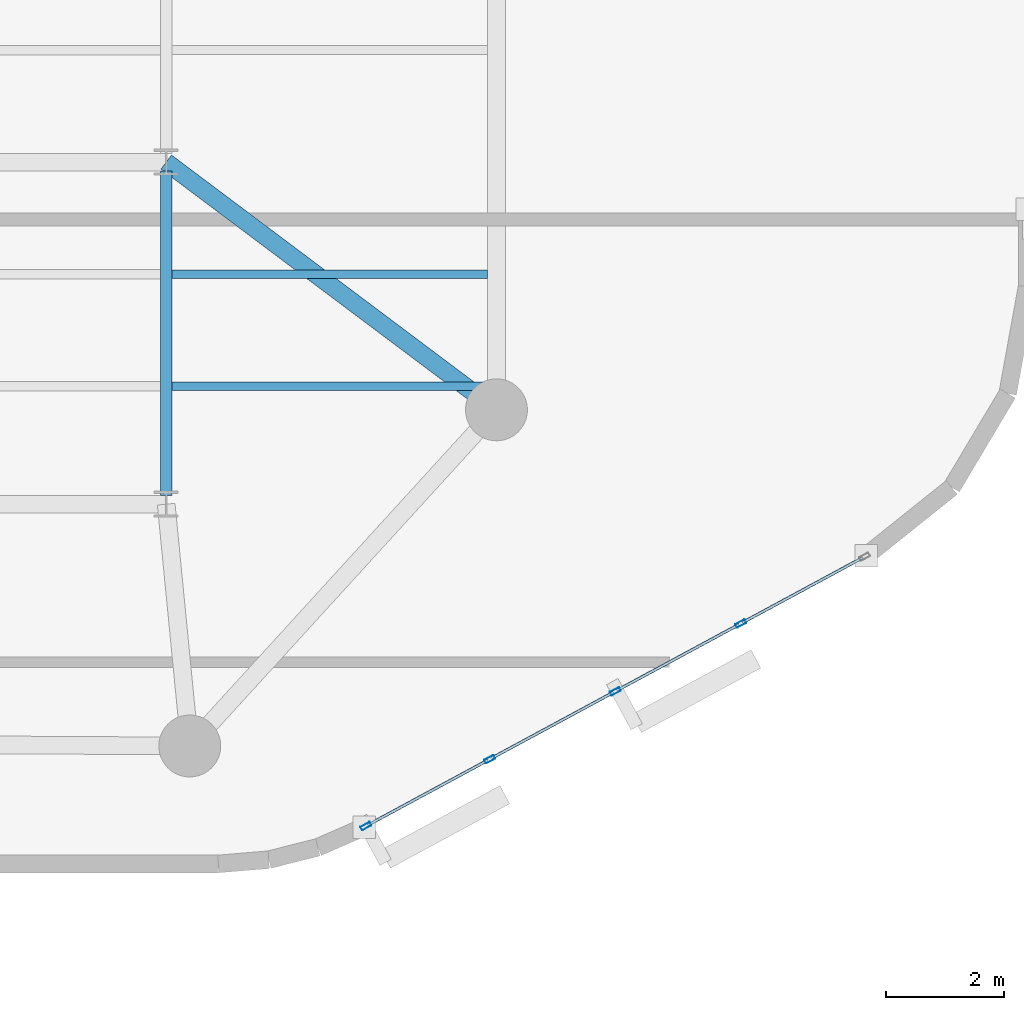
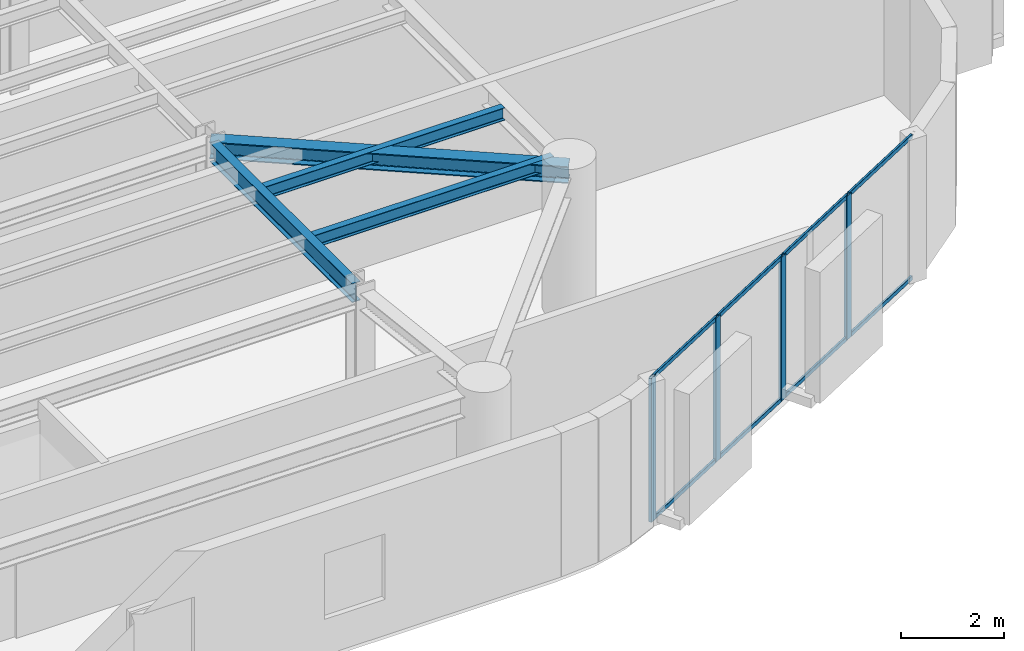
# One storey, part 2 of 14: 12 members, 4 beams, 1 element without a shape of its own.
"""IFC4 building model written with IfcOpenShell, lengths in metres."""

from ifc_helpers import new_model, si_unit, direction, frame, origin, origin_2d, place, context, subcontext, project, spatial, hollow_rectangle, i_section, extrude, material, layer, layer_set, material_profile, profile_set, type_object, element, aggregate, save


model = new_model("IFC4")

# Units and contexts
model_context = context("Model", 3, precision=1e-05, world=origin(), true_north=direction((0.0, 1.0)))
body_context = subcontext(model_context, "Body", "Model", "MODEL_VIEW")
ifc_project = project(units=[si_unit("LENGTHUNIT", "METRE"), si_unit("AREAUNIT", "SQUARE_METRE"), si_unit("VOLUMEUNIT", "CUBIC_METRE"), si_unit("PLANEANGLEUNIT", "RADIAN"), si_unit("MASSUNIT", "GRAM", prefix="KILO")], contexts=[model_context])

# Site, building, storey
site_placement = place(None, origin())
site = spatial("IfcSite", under=ifc_project, at=site_placement, CompositionType="ELEMENT")
building_placement = place(site_placement, origin())
building = spatial("IfcBuilding", under=site, at=building_placement, Name="An Khanh Terracotta Commons", CompositionType="ELEMENT")
storey_placement = place(building_placement, frame((0.0, 0.0, 219.300048828125)))
storey = spatial("IfcBuildingStorey", under=building, at=storey_placement, Name="L57", CompositionType="ELEMENT", Elevation=219.300048828125)

# Beams
ifc_material_1 = material(Name="Steel S355J2", Category="steel")
ifc_material_profile_1 = material_profile(ifc_material_1, i_section(OverallWidth=0.300048828125, OverallDepth=0.39990234375, WebThickness=0.013427734375, FlangeThickness=0.02392578125, FilletRadius=0.027099609375, at=origin_2d()), Name="HEB400")
ifc_profile_set_1 = profile_set([ifc_material_profile_1], Name="Steel S355J2")
beam_type_1 = type_object("IfcBeamType", Name="BM-HEB400", PredefinedType="BEAM", material=ifc_profile_set_1)
beam_1_placement = place(storey_placement, frame((59.60009765625, 16.0, 3.199951171875), z_axis=(-0.800008370399, 0.599988839305, 0.0), x_axis=(-0.599988839305, -0.800008370399, 0.0)))
element("IfcBeam", 1, at=beam_1_placement, inside=storey, type_object=beam_type_1, Name="L57 Mega-Column Tie Girder 3", PredefinedType="BEAM", context=body_context, shape_type="SweptSolid", body=[
    extrude(i_section(OverallWidth=0.300048828125, OverallDepth=0.39990234375, WebThickness=0.013427734375, FlangeThickness=0.02392578125, FilletRadius=0.027099609375, at=origin_2d()), origin(), (0.0, 0.0, 1.0), 7.0),
])
ifc_material_profile_2 = material_profile(ifc_material_1, i_section(OverallWidth=0.14990234375, OverallDepth=0.300048828125, WebThickness=0.007080078125, FlangeThickness=0.0107421875, FilletRadius=0.014892578125, at=origin_2d()), Name="IPE300")
ifc_profile_set_2 = profile_set([ifc_material_profile_2], Name="Steel S355J2")
beam_type_2 = type_object("IfcBeamType", Name="BM-IPE300", PredefinedType="JOIST", material=ifc_profile_set_2)
for number, where, z_axis, x_axis, name in (
    (2, (54.094970703125, 16.39990234375, 3.25), (1.0, 0.0, 0.0), (0.0, 1.0, 0.0), "L57 Riverfront Composite Joist 1"),
    (3, (54.094970703125, 18.300048828125, 3.25), (1.0, 0.0, 0.0), (0.0, 1.0, 0.0), "L57 Riverfront Composite Joist 2"),
):
    element("IfcBeam", number, at=place(storey_placement, frame(where, z_axis=z_axis, x_axis=x_axis)), inside=storey, type_object=beam_type_2, Name=name, PredefinedType="JOIST", context=body_context, shape_type="SweptSolid", body=[
        extrude(i_section(OverallWidth=0.14990234375, OverallDepth=0.300048828125, WebThickness=0.007080078125, FlangeThickness=0.0107421875, FilletRadius=0.014892578125, at=origin_2d()), origin(), (0.0, 0.0, 1.0), 5.35498046875),
    ])
ifc_material_profile_3 = material_profile(ifc_material_1, i_section(OverallWidth=0.18994140625, OverallDepth=0.449951171875, WebThickness=0.009521484375, FlangeThickness=0.0146484375, FilletRadius=0.02099609375, at=origin_2d()), Name="IPE450")
ifc_profile_set_3 = profile_set([ifc_material_profile_3], Name="Steel S355J2")
beam_type_3 = type_object("IfcBeamType", Name="BM-IPE450", PredefinedType="JOIST", material=ifc_profile_set_3)
beam_2_placement = place(storey_placement, frame((54.0, 14.550048828125, 3.175048828125), z_axis=(0.0, 1.0, 0.0), x_axis=(-1.0, 0.0, 0.0)))
element("IfcBeam", 4, at=beam_2_placement, inside=storey, type_object=beam_type_3, Name="L57 East Spine Girder 1", PredefinedType="JOIST", context=body_context, shape_type="SweptSolid", body=[
    extrude(i_section(OverallWidth=0.18994140625, OverallDepth=0.449951171875, WebThickness=0.009521484375, FlangeThickness=0.0146484375, FilletRadius=0.02099609375, at=origin_2d()), origin(), (0.0, 0.0, 1.0), 5.5),
])

# Curtain wall, members
ifc_material_2 = material(Name="Anodised Aluminium 6063-T6", Category="aluminium")
ifc_layer = layer(ifc_material_2, 0.2099609375, Name="Anodised Aluminium 6063-T6")
ifc_layer_set = layer_set([ifc_layer], Name="Anodised Aluminium 6063-T6")
curtain_wall_type = type_object("IfcCurtainWallType", Name="CW-SYS-03", PredefinedType="USERDEFINED", material=ifc_layer_set)
curtain_wall_placement = place(storey_placement, origin())
curtain_wall = element("IfcCurtainWall", 5, at=curtain_wall_placement, inside=storey, type_object=curtain_wall_type, Name="L57 CW-03 Unitised Curtain Wall CW-L57-08", ObjectType="UNITISED CURTAIN WALL", PredefinedType="USERDEFINED")
ifc_material_profile_4 = material_profile(ifc_material_2, hollow_rectangle(XDim=0.070068359375, YDim=0.179931640625, WallThickness=0.00390625, InnerFilletRadius=0.00390625, OuterFilletRadius=0.008056640625, at=origin_2d()), Name="RHS180x70x4")
ifc_profile_set_4 = profile_set([ifc_material_profile_4], Name="Anodised Aluminium 6063-T6")
member_type_1 = type_object("IfcMemberType", Name="CWM-RHS180x70x4", PredefinedType="MULLION", material=ifc_profile_set_4)
member_1_placement = place(storey_placement, frame((57.3876953125, 8.941650390625, 0.0), z_axis=(0.0, 0.0, 1.0), x_axis=(-0.47538088298, 0.879780095306, 0.0)))
member_1 = element("IfcMember", 6, at=member_1_placement, type_object=member_type_1, Name="CW-03 mullion 1", PredefinedType="MULLION", context=body_context, shape_type="SweptSolid", body=[
    extrude(hollow_rectangle(XDim=0.070068359375, YDim=0.179931640625, WallThickness=0.00390625, InnerFilletRadius=0.00390625, OuterFilletRadius=0.008056640625, at=origin_2d()), origin(), (0.0, 0.0, 1.0), 3.39990234375),
])
member_2_placement = place(storey_placement, frame((59.48583984375, 10.0751953125, 0.0), z_axis=(0.0, 0.0, 1.0), x_axis=(-0.47538088298, 0.879780095306, 0.0)))
member_2 = element("IfcMember", 7, at=member_2_placement, type_object=member_type_1, Name="CW-03 mullion 2", PredefinedType="MULLION", context=body_context, shape_type="SweptSolid", body=[
    extrude(hollow_rectangle(XDim=0.070068359375, YDim=0.179931640625, WallThickness=0.00390625, InnerFilletRadius=0.00390625, OuterFilletRadius=0.008056640625, at=origin_2d()), origin(), (0.0, 0.0, 1.0), 3.39990234375),
])
member_3_placement = place(storey_placement, frame((61.614501953125, 11.2255859375, 0.0), z_axis=(0.0, 0.0, 1.0), x_axis=(-0.47538088298, 0.879780095306, 0.0)))
member_3 = element("IfcMember", 8, at=member_3_placement, type_object=member_type_1, Name="CW-03 mullion 3", PredefinedType="MULLION", context=body_context, shape_type="SweptSolid", body=[
    extrude(hollow_rectangle(XDim=0.070068359375, YDim=0.179931640625, WallThickness=0.00390625, InnerFilletRadius=0.00390625, OuterFilletRadius=0.008056640625, at=origin_2d()), origin(), (0.0, 0.0, 1.0), 3.39990234375),
])
member_4_placement = place(storey_placement, frame((63.7431640625, 12.375732421875, 0.0), z_axis=(0.0, 0.0, 1.0), x_axis=(-0.47538088298, 0.879780095306, 0.0)))
member_4 = element("IfcMember", 9, at=member_4_placement, type_object=member_type_1, Name="CW-03 mullion 4", PredefinedType="MULLION", context=body_context, shape_type="SweptSolid", body=[
    extrude(hollow_rectangle(XDim=0.070068359375, YDim=0.179931640625, WallThickness=0.00390625, InnerFilletRadius=0.00390625, OuterFilletRadius=0.008056640625, at=origin_2d()), origin(), (0.0, 0.0, 1.0), 3.39990234375),
])
ifc_material_profile_5 = material_profile(ifc_material_2, hollow_rectangle(XDim=0.050048828125, YDim=0.10009765625, WallThickness=0.003173828125, InnerFilletRadius=0.003173828125, OuterFilletRadius=0.00634765625, at=origin_2d()), Name="RHS100x50x3.2")
ifc_profile_set_5 = profile_set([ifc_material_profile_5], Name="Anodised Aluminium 6063-T6")
member_type_2 = type_object("IfcMemberType", Name="CWT-RHS100x50x3.2", PredefinedType="USERDEFINED", material=ifc_profile_set_5)
member_5_placement = place(storey_placement, frame((57.418701171875, 8.958251953125, 0.02490234375), z_axis=(0.879779245677, 0.475382455373, 0.0), x_axis=(-0.475382455373, 0.879779245677, 0.0)))
member_5 = element("IfcMember", 10, at=member_5_placement, type_object=member_type_2, Name="CW-03 transom 1.1", ObjectType="TRANSOM", PredefinedType="USERDEFINED", context=body_context, shape_type="SweptSolid", body=[
    extrude(hollow_rectangle(XDim=0.050048828125, YDim=0.10009765625, WallThickness=0.003173828125, InnerFilletRadius=0.003173828125, OuterFilletRadius=0.00634765625, at=origin_2d()), origin(), (0.0, 0.0, 1.0), 2.314697265625),
])
member_6_placement = place(storey_placement, frame((57.418701171875, 8.958251953125, 3.375), z_axis=(0.879779245677, 0.475382455373, 0.0), x_axis=(-0.475382455373, 0.879779245677, 0.0)))
member_6 = element("IfcMember", 11, at=member_6_placement, type_object=member_type_2, Name="CW-03 transom 1.2", ObjectType="TRANSOM", PredefinedType="USERDEFINED", context=body_context, shape_type="SweptSolid", body=[
    extrude(hollow_rectangle(XDim=0.050048828125, YDim=0.10009765625, WallThickness=0.003173828125, InnerFilletRadius=0.003173828125, OuterFilletRadius=0.00634765625, at=origin_2d()), origin(), (0.0, 0.0, 1.0), 2.314697265625),
])
member_7_placement = place(storey_placement, frame((59.5166015625, 10.091796875, 0.02490234375), z_axis=(0.879782861449, 0.475375763686, 0.0), x_axis=(-0.475375763686, 0.879782861449, 0.0)))
member_7 = element("IfcMember", 12, at=member_7_placement, type_object=member_type_2, Name="CW-03 transom 2.1", ObjectType="TRANSOM", PredefinedType="USERDEFINED", context=body_context, shape_type="SweptSolid", body=[
    extrude(hollow_rectangle(XDim=0.050048828125, YDim=0.10009765625, WallThickness=0.003173828125, InnerFilletRadius=0.003173828125, OuterFilletRadius=0.00634765625, at=origin_2d()), origin(), (0.0, 0.0, 1.0), 2.349609375),
])
member_8_placement = place(storey_placement, frame((59.5166015625, 10.091796875, 3.375), z_axis=(0.879782861449, 0.475375763686, 0.0), x_axis=(-0.475375763686, 0.879782861449, 0.0)))
member_8 = element("IfcMember", 13, at=member_8_placement, type_object=member_type_2, Name="CW-03 transom 2.2", ObjectType="TRANSOM", PredefinedType="USERDEFINED", context=body_context, shape_type="SweptSolid", body=[
    extrude(hollow_rectangle(XDim=0.050048828125, YDim=0.10009765625, WallThickness=0.003173828125, InnerFilletRadius=0.003173828125, OuterFilletRadius=0.00634765625, at=origin_2d()), origin(), (0.0, 0.0, 1.0), 2.349609375),
])
member_9_placement = place(storey_placement, frame((61.645263671875, 11.2421875, 0.02490234375), z_axis=(0.879782861449, 0.475375763686, 0.0), x_axis=(-0.475375763686, 0.879782861449, 0.0)))
member_9 = element("IfcMember", 14, at=member_9_placement, type_object=member_type_2, Name="CW-03 transom 3.1", ObjectType="TRANSOM", PredefinedType="USERDEFINED", context=body_context, shape_type="SweptSolid", body=[
    extrude(hollow_rectangle(XDim=0.050048828125, YDim=0.10009765625, WallThickness=0.003173828125, InnerFilletRadius=0.003173828125, OuterFilletRadius=0.00634765625, at=origin_2d()), origin(), (0.0, 0.0, 1.0), 2.349609375),
])
member_10_placement = place(storey_placement, frame((61.645263671875, 11.2421875, 3.375), z_axis=(0.879782861449, 0.475375763686, 0.0), x_axis=(-0.475375763686, 0.879782861449, 0.0)))
member_10 = element("IfcMember", 15, at=member_10_placement, type_object=member_type_2, Name="CW-03 transom 3.2", ObjectType="TRANSOM", PredefinedType="USERDEFINED", context=body_context, shape_type="SweptSolid", body=[
    extrude(hollow_rectangle(XDim=0.050048828125, YDim=0.10009765625, WallThickness=0.003173828125, InnerFilletRadius=0.003173828125, OuterFilletRadius=0.00634765625, at=origin_2d()), origin(), (0.0, 0.0, 1.0), 2.349609375),
])
member_11_placement = place(storey_placement, frame((63.77392578125, 12.392333984375, 0.02490234375), z_axis=(0.879779245677, 0.475382455373, 0.0), x_axis=(-0.475382455373, 0.879779245677, 0.0)))
member_11 = element("IfcMember", 16, at=member_11_placement, type_object=member_type_2, Name="CW-03 transom 4.1", ObjectType="TRANSOM", PredefinedType="USERDEFINED", context=body_context, shape_type="SweptSolid", body=[
    extrude(hollow_rectangle(XDim=0.050048828125, YDim=0.10009765625, WallThickness=0.003173828125, InnerFilletRadius=0.003173828125, OuterFilletRadius=0.00634765625, at=origin_2d()), origin(), (0.0, 0.0, 1.0), 2.314697265625),
])
member_12_placement = place(storey_placement, frame((63.77392578125, 12.392333984375, 3.375), z_axis=(0.879779245677, 0.475382455373, 0.0), x_axis=(-0.475382455373, 0.879779245677, 0.0)))
member_12 = element("IfcMember", 17, at=member_12_placement, type_object=member_type_2, Name="CW-03 transom 4.2", ObjectType="TRANSOM", PredefinedType="USERDEFINED", context=body_context, shape_type="SweptSolid", body=[
    extrude(hollow_rectangle(XDim=0.050048828125, YDim=0.10009765625, WallThickness=0.003173828125, InnerFilletRadius=0.003173828125, OuterFilletRadius=0.00634765625, at=origin_2d()), origin(), (0.0, 0.0, 1.0), 2.314697265625),
])
aggregate(curtain_wall, [member_1, member_2, member_3, member_4, member_5, member_6, member_7, member_8, member_9, member_10, member_11, member_12])

save(model, "model.ifc")
